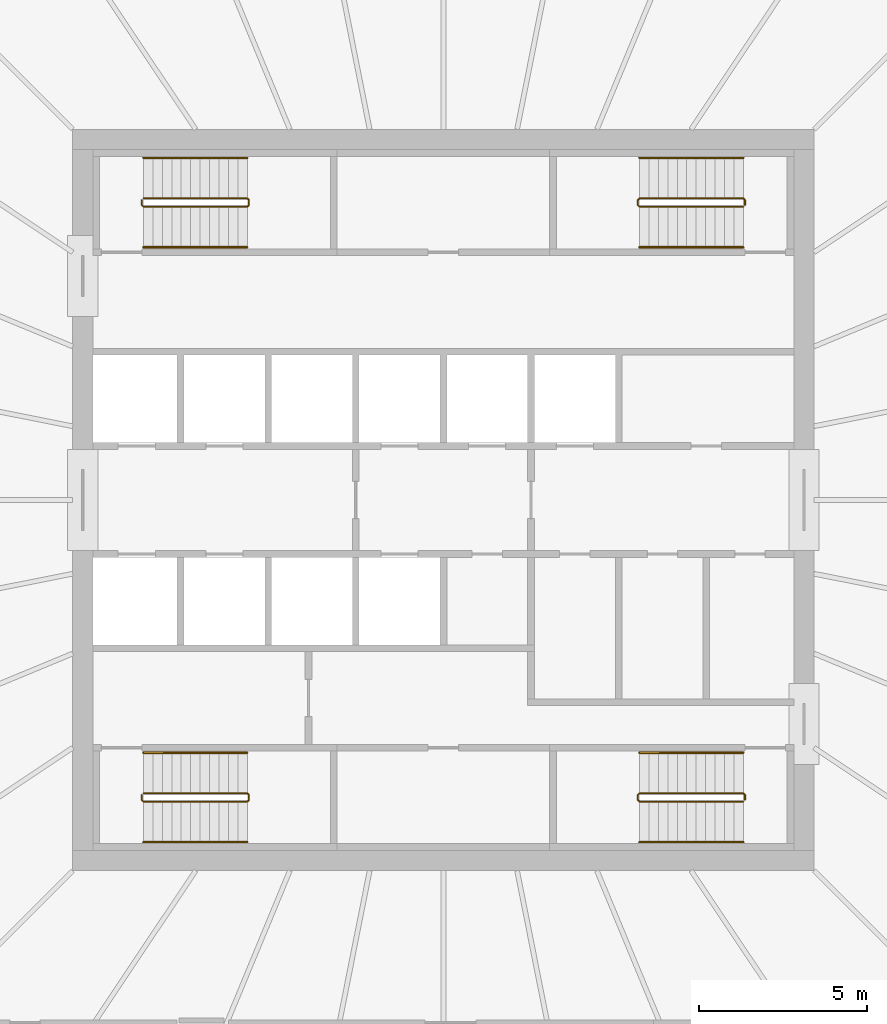
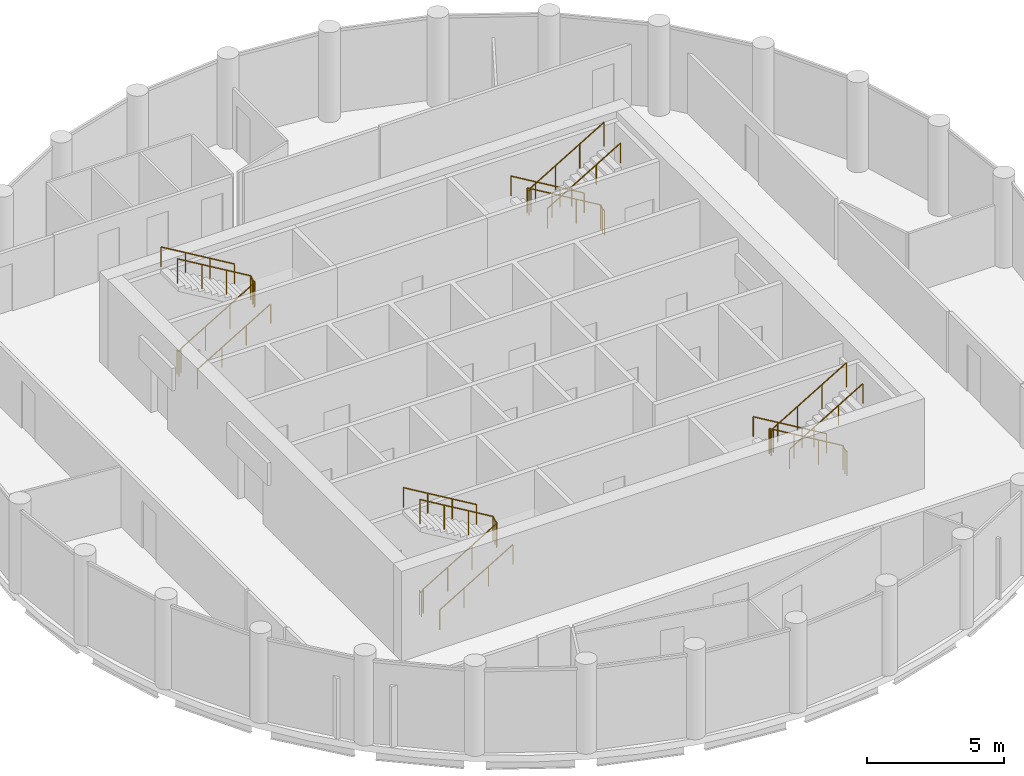
# One storey, part 7 of 7: 12 railings.
"""IFC4 building model written with IfcOpenShell, lengths in metres."""

import ifcopenshell
import ifcopenshell.guid

model = None  # the IFC model being written
_history = None  # IfcOwnerHistory: only IFC2X3 demands one
_inside = {}  # id of a spatial element -> (the spatial element, [elements in it])
_under = {}  # id of a project, library or spatial element -> (it, [spatial elements below it])
_declared = {}  # id of a project -> (the project, [libraries it declares])
_typed = {}  # id of a type object -> (the type object, [elements of that type])
_made_of = {}  # id of a material, layer set ... -> (it, [elements and type objects made of it])


def new_model(schema):
    """Start an empty IFC model of exactly this schema.

    Asked for "IFC4X3", IfcOpenShell would pick the latest addendum, in which some entities
    have other attributes; the version numbers below select the first issue.
    IFC2X3 requires an IfcOwnerHistory on every rooted entity: one is made here for all.
    """
    global model, _history
    if schema == "IFC4X3":
        model = ifcopenshell.file(schema_version=(4, 3, 0, 0))
    else:
        model = ifcopenshell.file(schema=schema)
    _inside.clear()
    _under.clear()
    _declared.clear()
    _typed.clear()
    _made_of.clear()
    _history = None
    if model.schema == "IFC2X3":
        org = make("IfcOrganization", Name="unknown")
        user = make(
            "IfcPersonAndOrganization",
            ThePerson=make("IfcPerson", FamilyName="unknown"),
            TheOrganization=org,
        )
        app = make(
            "IfcApplication",
            ApplicationDeveloper=org,
            Version="unknown",
            ApplicationFullName="unknown",
            ApplicationIdentifier="unknown",
        )
        _history = make(
            "IfcOwnerHistory",
            OwningUser=user,
            OwningApplication=app,
            ChangeAction="ADDED",
            CreationDate=0,
        )
    return model


def make(cls, **values):
    """One entity of the class cls with the attributes given. An attribute that is None is left unset."""
    return model.create_entity(
        cls, **{name: value for name, value in values.items() if value is not None}
    )


def rooted(cls, **values):
    """An entity with a GlobalId (a new one), such as an element, a storey or a relation."""
    return make(cls, GlobalId=ifcopenshell.guid.new(), OwnerHistory=_history, **values)


def si_unit(unit_type, name, prefix=None):
    """IfcSIUnit, for example si_unit("LENGTHUNIT", "METRE", prefix="MILLI")."""
    return make("IfcSIUnit", UnitType=unit_type, Prefix=prefix, Name=name)


def assignment(units):
    """IfcUnitAssignment: the units of a project."""
    return None if units is None else make("IfcUnitAssignment", Units=units)


def point(xyz):
    """IfcCartesianPoint."""
    return None if xyz is None else make("IfcCartesianPoint", Coordinates=xyz)


def direction(xyz):
    """IfcDirection."""
    return None if xyz is None else make("IfcDirection", DirectionRatios=xyz)


def frame(location, z_axis=None, x_axis=None):
    """IfcAxis2Placement3D, a coordinate frame: its origin and axes. An axis left out is left unset."""
    return make(
        "IfcAxis2Placement3D",
        Location=point(location),
        Axis=direction(z_axis),
        RefDirection=direction(x_axis),
    )


def frame_2d(location, x_axis=None):
    """IfcAxis2Placement2D, a coordinate frame in the plane: its origin and x axis."""
    return make(
        "IfcAxis2Placement2D", Location=point(location), RefDirection=direction(x_axis)
    )


def origin():
    """The frame at (0, 0, 0) with its axes left unset."""
    return frame((0.0, 0.0, 0.0))


def origin_2d():
    """The frame at (0, 0) in the plane with its x axis left unset."""
    return frame_2d((0.0, 0.0))


def place(relative_to, where):
    """IfcLocalPlacement: puts the frame where relative to a parent placement (None: the world)."""
    return make(
        "IfcLocalPlacement", PlacementRelTo=relative_to, RelativePlacement=where
    )


def context(
    kind, dimensions, precision=None, world=None, true_north=None, identifier=None
):
    """IfcGeometricRepresentationContext, for example the 3D "Model" context."""
    return make(
        "IfcGeometricRepresentationContext",
        ContextIdentifier=identifier,
        ContextType=kind,
        CoordinateSpaceDimension=dimensions,
        Precision=precision,
        WorldCoordinateSystem=world,
        TrueNorth=true_north,
    )


def subcontext(parent, identifier, kind, view, scale=None):
    """IfcGeometricRepresentationSubContext, for example "Body" below "Model"."""
    return make(
        "IfcGeometricRepresentationSubContext",
        ContextIdentifier=identifier,
        ContextType=kind,
        ParentContext=parent,
        TargetScale=scale,
        TargetView=view,
    )


def project(units=None, contexts=None):
    """IfcProject with its units and contexts."""
    return rooted(
        "IfcProject",
        Name="project",
        RepresentationContexts=contexts,
        UnitsInContext=assignment(units),
    )


def spatial(cls, under=None, at=None, **own):
    """A site, building, storey or space (cls), placed at a placement, below another one or the project."""
    s = rooted(cls, ObjectPlacement=at, **own)
    if under is not None:
        _under.setdefault(under.id(), (under, []))[1].append(s)
    return s


def profile(cls, at=None, kind="AREA", **sizes):
    """A parametric profile (cls). Its sizes go by their IFC names, for example OverallWidth=200.0."""
    return make(cls, ProfileType=kind, Position=at, **sizes)


def circle(**sizes):
    """IfcCircleProfileDef."""
    return profile("IfcCircleProfileDef", **sizes)


def extrude(swept, where, along, depth):
    """IfcExtrudedAreaSolid: the profile swept, set in the frame where, extruded along a direction by depth."""
    return make(
        "IfcExtrudedAreaSolid",
        SweptArea=swept,
        Position=where,
        ExtrudedDirection=direction(along),
        Depth=depth,
    )


def shape(context_of_items, identifier, shape_type, items):
    """IfcShapeRepresentation: the items that make up one representation, for example the "Body"."""
    return make(
        "IfcShapeRepresentation",
        ContextOfItems=context_of_items,
        RepresentationIdentifier=identifier,
        RepresentationType=shape_type,
        Items=items,
    )


def material(Name=None, Category=None):
    """IfcMaterial."""
    return make("IfcMaterial", Name=Name, Category=Category)


def made_of(thing, what):
    """Note that an element or type object is made of a material, layer set ...; save() writes the relation."""
    if what is not None:
        _made_of.setdefault(what.id(), (what, []))[1].append(thing)
    return thing


def type_object(cls, material=None, **own):
    """A type object (cls), such as IfcWallType, which elements share."""
    return made_of(rooted(cls, **own), material)


def element(
    cls,
    number,
    at=None,
    inside=None,
    cuts=None,
    type_object=None,
    material=None,
    context=None,
    identifier="Body",
    shape_type=None,
    held_by="IfcProductDefinitionShape",
    body=None,
    shapes=None,
    **own,
):
    """One element of the class cls, such as IfcWall. Its Tag is "e" and its number.

    at: its placement. inside: the storey or other place that contains it. cuts: it is an
    opening in that element (IfcRelVoidsElement). A single representation is given by context,
    identifier, shape_type and body (its items); several are given by shapes. held_by: the class
    of the entity that holds the representations. save() writes the other relations.
    """
    e = rooted(cls, Tag="e%d" % number, ObjectPlacement=at, **own)
    if body is not None:
        shapes = [shape(context, identifier, shape_type, body)]
    if shapes is not None:
        e.Representation = make(held_by, Representations=shapes)
    if inside is not None:
        _inside.setdefault(inside.id(), (inside, []))[1].append(e)
    if cuts is not None:
        rooted(
            "IfcRelVoidsElement", RelatingBuildingElement=cuts, RelatedOpeningElement=e
        )
    if type_object is not None:
        _typed.setdefault(type_object.id(), (type_object, []))[1].append(e)
    return made_of(e, material)


def aggregate(whole, parts):
    """IfcRelAggregates: a whole, such as a stair, and the parts it consists of."""
    return rooted("IfcRelAggregates", RelatingObject=whole, RelatedObjects=parts)


def save(model, path):
    """Write the relations noted so far, then the file.

    IfcRelAggregates (storeys below a building ...), IfcRelContainedInSpatialStructure (elements
    in a storey), IfcRelDefinesByType, IfcRelAssociatesMaterial and IfcRelDeclares: one each for
    every whole, place, type object, material and project.
    """
    for whole, parts in _under.values():
        aggregate(whole, parts)
    for where, things in _inside.values():
        rooted(
            "IfcRelContainedInSpatialStructure",
            RelatedElements=things,
            RelatingStructure=where,
        )
    for kind, things in _typed.values():
        rooted("IfcRelDefinesByType", RelatedObjects=things, RelatingType=kind)
    for what, things in _made_of.values():
        rooted("IfcRelAssociatesMaterial", RelatedObjects=things, RelatingMaterial=what)
    for by, libraries in _declared.values():
        rooted("IfcRelDeclares", RelatingContext=by, RelatedDefinitions=libraries)
    model.write(path)


model = new_model("IFC4")

# Units and contexts
model_context = context("Model", 3, precision=1e-05, world=origin(), true_north=direction((0.0, 1.0)))
body_context = subcontext(model_context, "Body", "Model", "MODEL_VIEW")
ifc_project = project(units=[si_unit("LENGTHUNIT", "METRE"), si_unit("AREAUNIT", "SQUARE_METRE"), si_unit("VOLUMEUNIT", "CUBIC_METRE"), si_unit("PLANEANGLEUNIT", "RADIAN"), si_unit("MASSUNIT", "GRAM", prefix="KILO")], contexts=[model_context])

# Site, building, storey
site_placement = place(None, origin())
site = spatial("IfcSite", under=ifc_project, at=site_placement, CompositionType="ELEMENT")
building_placement = place(site_placement, origin())
building = spatial("IfcBuilding", under=site, at=building_placement, Name="Corvane Civic Tower", CompositionType="ELEMENT")
storey_placement = place(building_placement, frame((0.0, 0.0, 364.5)))
storey = spatial("IfcBuildingStorey", under=building, at=storey_placement, Name="L87", CompositionType="ELEMENT", Elevation=364.5)

# Railings
ifc_material_1 = material(Name="Steel ASTM A572 Gr 50", Category="steel")
railing_type_1 = type_object("IfcRailingType", Name="ST-GUARD-1100", PredefinedType="GUARDRAIL", material=ifc_material_1)
railing_1_placement = place(storey_placement, frame((8.949951171875, 8.75, 0.0)))
element("IfcRailing", 1, at=railing_1_placement, inside=storey, type_object=railing_type_1, Name="L87 ST1 stair guard 1", PredefinedType="GUARDRAIL", context=body_context, shape_type="SweptSolid", body=[
    extrude(circle(Radius=0.02392578125, at=origin_2d()), frame((0.0, 0.0, 1.076171875), z_axis=(0.0, 1.0, 0.0), x_axis=(-1.0, 0.0, 0.0)), (0.0, 0.0, 1.0), 0.14990234375),
    extrude(circle(Radius=0.02392578125, at=origin_2d()), frame((0.0, 0.14990234375, 1.076171875), z_axis=(-0.27628659633, 0.27628659633, 0.920506074601), x_axis=(-0.707106781187, -0.707106781187, 0.0)), (0.0, 0.0, 1.0), 0.18115234375),
    extrude(circle(Radius=0.02392578125, at=origin_2d()), frame((-0.050048828125, 0.199951171875, 1.24267578125), z_axis=(-0.859290745958, 0.0, 0.51148745235), x_axis=(0.0, -1.0, 0.0)), (0.0, 0.0, 1.0), 3.584228515625),
    extrude(circle(Radius=0.02392578125, at=origin_2d()), frame((-3.1298828125, 0.199951171875, 3.076171875), z_axis=(-0.707106781187, -0.707106781187, 0.0), x_axis=(0.707106781187, -0.707106781187, 0.0)), (0.0, 0.0, 1.0), 0.07080078125),
    extrude(circle(Radius=0.02392578125, at=origin_2d()), frame((-3.179931640625, 0.14990234375, 3.076171875), z_axis=(0.0, -1.0, 0.0), x_axis=(1.0, 0.0, 0.0)), (0.0, 0.0, 1.0), 0.14990234375),
    extrude(circle(Radius=0.02392578125, at=origin_2d()), frame((-3.179931640625, 0.0, 3.076171875), z_axis=(0.27628659633, -0.27628659633, 0.920506074601), x_axis=(0.707106781187, 0.707106781187, 0.0)), (0.0, 0.0, 1.0), 0.18115234375),
    extrude(circle(Radius=0.02392578125, at=origin_2d()), frame((-3.1298828125, -0.050048828125, 3.24267578125), z_axis=(0.859290745958, 0.0, 0.51148745235), x_axis=(0.0, 1.0, 0.0)), (0.0, 0.0, 1.0), 3.584228515625),
    extrude(circle(Radius=0.02099609375, at=origin_2d()), origin(), (0.0, 0.0, 1.0), 1.052001953125),
    extrude(circle(Radius=0.02099609375, at=origin_2d()), frame((0.0, 0.14990234375, 0.0)), (0.0, 0.0, 1.0), 1.052001953125),
    extrude(circle(Radius=0.02099609375, at=origin_2d()), frame((-0.050048828125, 0.199951171875, 0.166748046875)), (0.0, 0.0, 1.0), 1.052001953125),
    extrude(circle(Radius=0.02099609375, at=origin_2d()), frame((-1.07666015625, 0.199951171875, 0.77783203125)), (0.0, 0.0, 1.0), 1.052001953125),
    extrude(circle(Radius=0.02099609375, at=origin_2d()), frame((-2.103271484375, 0.199951171875, 1.388916015625)), (0.0, 0.0, 1.0), 1.052001953125),
    extrude(circle(Radius=0.02099609375, at=origin_2d()), frame((-3.1298828125, 0.199951171875, 2.0)), (0.0, 0.0, 1.0), 1.052001953125),
    extrude(circle(Radius=0.02099609375, at=origin_2d()), frame((-3.179931640625, 0.14990234375, 2.0)), (0.0, 0.0, 1.0), 1.052001953125),
    extrude(circle(Radius=0.02099609375, at=origin_2d()), frame((-3.179931640625, 0.0, 2.0)), (0.0, 0.0, 1.0), 1.052001953125),
    extrude(circle(Radius=0.02099609375, at=origin_2d()), frame((-3.1298828125, -0.050048828125, 2.166748046875)), (0.0, 0.0, 1.0), 1.052001953125),
    extrude(circle(Radius=0.02099609375, at=origin_2d()), frame((-2.103271484375, -0.050048828125, 2.77783203125)), (0.0, 0.0, 1.0), 1.052001953125),
    extrude(circle(Radius=0.02099609375, at=origin_2d()), frame((-1.07666015625, -0.050048828125, 3.388916015625)), (0.0, 0.0, 1.0), 1.052001953125),
    extrude(circle(Radius=0.02099609375, at=origin_2d()), frame((-0.050048828125, -0.050048828125, 4.0)), (0.0, 0.0, 1.0), 1.052001953125),
])
railing_2_placement = place(storey_placement, frame((8.949951171875, -8.89990234375, 0.0)))
element("IfcRailing", 2, at=railing_2_placement, inside=storey, type_object=railing_type_1, Name="L87 ST2 stair guard 1", PredefinedType="GUARDRAIL", context=body_context, shape_type="SweptSolid", body=[
    extrude(circle(Radius=0.02392578125, at=origin_2d()), frame((0.0, 0.0, 1.076171875), z_axis=(0.0, 1.0, 0.0), x_axis=(-1.0, 0.0, 0.0)), (0.0, 0.0, 1.0), 0.14990234375),
    extrude(circle(Radius=0.02392578125, at=origin_2d()), frame((0.0, 0.14990234375, 1.076171875), z_axis=(-0.27628659633, 0.27628659633, 0.920506074601), x_axis=(-0.707106781187, -0.707106781187, 0.0)), (0.0, 0.0, 1.0), 0.18115234375),
    extrude(circle(Radius=0.02392578125, at=origin_2d()), frame((-0.050048828125, 0.199951171875, 1.24267578125), z_axis=(-0.859290745958, 0.0, 0.51148745235), x_axis=(0.0, -1.0, 0.0)), (0.0, 0.0, 1.0), 3.584228515625),
    extrude(circle(Radius=0.02392578125, at=origin_2d()), frame((-3.1298828125, 0.199951171875, 3.076171875), z_axis=(-0.707106781187, -0.707106781187, 0.0), x_axis=(0.707106781187, -0.707106781187, 0.0)), (0.0, 0.0, 1.0), 0.07080078125),
    extrude(circle(Radius=0.02392578125, at=origin_2d()), frame((-3.179931640625, 0.14990234375, 3.076171875), z_axis=(0.0, -1.0, 0.0), x_axis=(1.0, 0.0, 0.0)), (0.0, 0.0, 1.0), 0.14990234375),
    extrude(circle(Radius=0.02392578125, at=origin_2d()), frame((-3.179931640625, 0.0, 3.076171875), z_axis=(0.27628659633, -0.27628659633, 0.920506074601), x_axis=(0.707106781187, 0.707106781187, 0.0)), (0.0, 0.0, 1.0), 0.18115234375),
    extrude(circle(Radius=0.02392578125, at=origin_2d()), frame((-3.1298828125, -0.050048828125, 3.24267578125), z_axis=(0.859290745958, 0.0, 0.51148745235), x_axis=(0.0, 1.0, 0.0)), (0.0, 0.0, 1.0), 3.584228515625),
    extrude(circle(Radius=0.02099609375, at=origin_2d()), origin(), (0.0, 0.0, 1.0), 1.052001953125),
    extrude(circle(Radius=0.02099609375, at=origin_2d()), frame((0.0, 0.14990234375, 0.0)), (0.0, 0.0, 1.0), 1.052001953125),
    extrude(circle(Radius=0.02099609375, at=origin_2d()), frame((-0.050048828125, 0.199951171875, 0.166748046875)), (0.0, 0.0, 1.0), 1.052001953125),
    extrude(circle(Radius=0.02099609375, at=origin_2d()), frame((-1.07666015625, 0.199951171875, 0.77783203125)), (0.0, 0.0, 1.0), 1.052001953125),
    extrude(circle(Radius=0.02099609375, at=origin_2d()), frame((-2.103271484375, 0.199951171875, 1.388916015625)), (0.0, 0.0, 1.0), 1.052001953125),
    extrude(circle(Radius=0.02099609375, at=origin_2d()), frame((-3.1298828125, 0.199951171875, 2.0)), (0.0, 0.0, 1.0), 1.052001953125),
    extrude(circle(Radius=0.02099609375, at=origin_2d()), frame((-3.179931640625, 0.14990234375, 2.0)), (0.0, 0.0, 1.0), 1.052001953125),
    extrude(circle(Radius=0.02099609375, at=origin_2d()), frame((-3.179931640625, 0.0, 2.0)), (0.0, 0.0, 1.0), 1.052001953125),
    extrude(circle(Radius=0.02099609375, at=origin_2d()), frame((-3.1298828125, -0.050048828125, 2.166748046875)), (0.0, 0.0, 1.0), 1.052001953125),
    extrude(circle(Radius=0.02099609375, at=origin_2d()), frame((-2.103271484375, -0.050048828125, 2.77783203125)), (0.0, 0.0, 1.0), 1.052001953125),
    extrude(circle(Radius=0.02099609375, at=origin_2d()), frame((-1.07666015625, -0.050048828125, 3.388916015625)), (0.0, 0.0, 1.0), 1.052001953125),
    extrude(circle(Radius=0.02099609375, at=origin_2d()), frame((-0.050048828125, -0.050048828125, 4.0)), (0.0, 0.0, 1.0), 1.052001953125),
])
railing_3_placement = place(storey_placement, frame((-8.949951171875, -8.75, 0.0)))
element("IfcRailing", 3, at=railing_3_placement, inside=storey, type_object=railing_type_1, Name="L87 ST3 stair guard 1", PredefinedType="GUARDRAIL", context=body_context, shape_type="SweptSolid", body=[
    extrude(circle(Radius=0.02392578125, at=origin_2d()), frame((0.0, 0.0, 1.076171875), z_axis=(0.0, -1.0, 0.0), x_axis=(1.0, 0.0, 0.0)), (0.0, 0.0, 1.0), 0.14990234375),
    extrude(circle(Radius=0.02392578125, at=origin_2d()), frame((0.0, -0.14990234375, 1.076171875), z_axis=(0.27628659633, -0.27628659633, 0.920506074601), x_axis=(0.707106781187, 0.707106781187, 0.0)), (0.0, 0.0, 1.0), 0.18115234375),
    extrude(circle(Radius=0.02392578125, at=origin_2d()), frame((0.050048828125, -0.199951171875, 1.24267578125), z_axis=(0.859290745958, 0.0, 0.51148745235), x_axis=(0.0, 1.0, 0.0)), (0.0, 0.0, 1.0), 3.584228515625),
    extrude(circle(Radius=0.02392578125, at=origin_2d()), frame((3.1298828125, -0.199951171875, 3.076171875), z_axis=(0.707106781187, 0.707106781187, 0.0), x_axis=(-0.707106781187, 0.707106781187, 0.0)), (0.0, 0.0, 1.0), 0.07080078125),
    extrude(circle(Radius=0.02392578125, at=origin_2d()), frame((3.179931640625, -0.14990234375, 3.076171875), z_axis=(0.0, 1.0, 0.0), x_axis=(-1.0, 0.0, 0.0)), (0.0, 0.0, 1.0), 0.14990234375),
    extrude(circle(Radius=0.02392578125, at=origin_2d()), frame((3.179931640625, 0.0, 3.076171875), z_axis=(-0.27628659633, 0.27628659633, 0.920506074601), x_axis=(-0.707106781187, -0.707106781187, 0.0)), (0.0, 0.0, 1.0), 0.18115234375),
    extrude(circle(Radius=0.02392578125, at=origin_2d()), frame((3.1298828125, 0.050048828125, 3.24267578125), z_axis=(-0.859290745958, 0.0, 0.51148745235), x_axis=(0.0, -1.0, 0.0)), (0.0, 0.0, 1.0), 3.584228515625),
    extrude(circle(Radius=0.02099609375, at=origin_2d()), origin(), (0.0, 0.0, 1.0), 1.052001953125),
    extrude(circle(Radius=0.02099609375, at=origin_2d()), frame((0.0, -0.14990234375, 0.0)), (0.0, 0.0, 1.0), 1.052001953125),
    extrude(circle(Radius=0.02099609375, at=origin_2d()), frame((0.050048828125, -0.199951171875, 0.166748046875)), (0.0, 0.0, 1.0), 1.052001953125),
    extrude(circle(Radius=0.02099609375, at=origin_2d()), frame((1.07666015625, -0.199951171875, 0.77783203125)), (0.0, 0.0, 1.0), 1.052001953125),
    extrude(circle(Radius=0.02099609375, at=origin_2d()), frame((2.103271484375, -0.199951171875, 1.388916015625)), (0.0, 0.0, 1.0), 1.052001953125),
    extrude(circle(Radius=0.02099609375, at=origin_2d()), frame((3.1298828125, -0.199951171875, 2.0)), (0.0, 0.0, 1.0), 1.052001953125),
    extrude(circle(Radius=0.02099609375, at=origin_2d()), frame((3.179931640625, -0.14990234375, 2.0)), (0.0, 0.0, 1.0), 1.052001953125),
    extrude(circle(Radius=0.02099609375, at=origin_2d()), frame((3.179931640625, 0.0, 2.0)), (0.0, 0.0, 1.0), 1.052001953125),
    extrude(circle(Radius=0.02099609375, at=origin_2d()), frame((3.1298828125, 0.050048828125, 2.166748046875)), (0.0, 0.0, 1.0), 1.052001953125),
    extrude(circle(Radius=0.02099609375, at=origin_2d()), frame((2.103271484375, 0.050048828125, 2.77783203125)), (0.0, 0.0, 1.0), 1.052001953125),
    extrude(circle(Radius=0.02099609375, at=origin_2d()), frame((1.07666015625, 0.050048828125, 3.388916015625)), (0.0, 0.0, 1.0), 1.052001953125),
    extrude(circle(Radius=0.02099609375, at=origin_2d()), frame((0.050048828125, 0.050048828125, 4.0)), (0.0, 0.0, 1.0), 1.052001953125),
])
railing_4_placement = place(storey_placement, frame((-8.949951171875, 8.89990234375, 0.0)))
element("IfcRailing", 4, at=railing_4_placement, inside=storey, type_object=railing_type_1, Name="L87 ST4 stair guard 1", PredefinedType="GUARDRAIL", context=body_context, shape_type="SweptSolid", body=[
    extrude(circle(Radius=0.02392578125, at=origin_2d()), frame((0.0, 0.0, 1.076171875), z_axis=(0.0, -1.0, 0.0), x_axis=(1.0, 0.0, 0.0)), (0.0, 0.0, 1.0), 0.14990234375),
    extrude(circle(Radius=0.02392578125, at=origin_2d()), frame((0.0, -0.14990234375, 1.076171875), z_axis=(0.27628659633, -0.27628659633, 0.920506074601), x_axis=(0.707106781187, 0.707106781187, 0.0)), (0.0, 0.0, 1.0), 0.18115234375),
    extrude(circle(Radius=0.02392578125, at=origin_2d()), frame((0.050048828125, -0.199951171875, 1.24267578125), z_axis=(0.859290745958, 0.0, 0.51148745235), x_axis=(0.0, 1.0, 0.0)), (0.0, 0.0, 1.0), 3.584228515625),
    extrude(circle(Radius=0.02392578125, at=origin_2d()), frame((3.1298828125, -0.199951171875, 3.076171875), z_axis=(0.707106781187, 0.707106781187, 0.0), x_axis=(-0.707106781187, 0.707106781187, 0.0)), (0.0, 0.0, 1.0), 0.07080078125),
    extrude(circle(Radius=0.02392578125, at=origin_2d()), frame((3.179931640625, -0.14990234375, 3.076171875), z_axis=(0.0, 1.0, 0.0), x_axis=(-1.0, 0.0, 0.0)), (0.0, 0.0, 1.0), 0.14990234375),
    extrude(circle(Radius=0.02392578125, at=origin_2d()), frame((3.179931640625, 0.0, 3.076171875), z_axis=(-0.27628659633, 0.27628659633, 0.920506074601), x_axis=(-0.707106781187, -0.707106781187, 0.0)), (0.0, 0.0, 1.0), 0.18115234375),
    extrude(circle(Radius=0.02392578125, at=origin_2d()), frame((3.1298828125, 0.050048828125, 3.24267578125), z_axis=(-0.859290745958, 0.0, 0.51148745235), x_axis=(0.0, -1.0, 0.0)), (0.0, 0.0, 1.0), 3.584228515625),
    extrude(circle(Radius=0.02099609375, at=origin_2d()), origin(), (0.0, 0.0, 1.0), 1.052001953125),
    extrude(circle(Radius=0.02099609375, at=origin_2d()), frame((0.0, -0.14990234375, 0.0)), (0.0, 0.0, 1.0), 1.052001953125),
    extrude(circle(Radius=0.02099609375, at=origin_2d()), frame((0.050048828125, -0.199951171875, 0.166748046875)), (0.0, 0.0, 1.0), 1.052001953125),
    extrude(circle(Radius=0.02099609375, at=origin_2d()), frame((1.07666015625, -0.199951171875, 0.77783203125)), (0.0, 0.0, 1.0), 1.052001953125),
    extrude(circle(Radius=0.02099609375, at=origin_2d()), frame((2.103271484375, -0.199951171875, 1.388916015625)), (0.0, 0.0, 1.0), 1.052001953125),
    extrude(circle(Radius=0.02099609375, at=origin_2d()), frame((3.1298828125, -0.199951171875, 2.0)), (0.0, 0.0, 1.0), 1.052001953125),
    extrude(circle(Radius=0.02099609375, at=origin_2d()), frame((3.179931640625, -0.14990234375, 2.0)), (0.0, 0.0, 1.0), 1.052001953125),
    extrude(circle(Radius=0.02099609375, at=origin_2d()), frame((3.179931640625, 0.0, 2.0)), (0.0, 0.0, 1.0), 1.052001953125),
    extrude(circle(Radius=0.02099609375, at=origin_2d()), frame((3.1298828125, 0.050048828125, 2.166748046875)), (0.0, 0.0, 1.0), 1.052001953125),
    extrude(circle(Radius=0.02099609375, at=origin_2d()), frame((2.103271484375, 0.050048828125, 2.77783203125)), (0.0, 0.0, 1.0), 1.052001953125),
    extrude(circle(Radius=0.02099609375, at=origin_2d()), frame((1.07666015625, 0.050048828125, 3.388916015625)), (0.0, 0.0, 1.0), 1.052001953125),
    extrude(circle(Radius=0.02099609375, at=origin_2d()), frame((0.050048828125, 0.050048828125, 4.0)), (0.0, 0.0, 1.0), 1.052001953125),
])
ifc_material_2 = material(Name="Steel ASTM A572 Gr 50", Category="steel")
railing_type_2 = type_object("IfcRailingType", Name="ST-HANDRAIL-900", PredefinedType="HANDRAIL", material=ifc_material_2)
railing_5_placement = place(storey_placement, frame((8.89990234375, 10.14990234375, 0.166748046875)))
element("IfcRailing", 5, at=railing_5_placement, inside=storey, type_object=railing_type_2, Name="L87 ST1 stair handrail 1", PredefinedType="HANDRAIL", context=body_context, shape_type="SweptSolid", body=[
    extrude(circle(Radius=0.02392578125, at=origin_2d()), frame((0.0, 0.0, 0.8759765625), z_axis=(-0.859290745958, 0.0, 0.51148745235), x_axis=(0.0, -1.0, 0.0)), (0.0, 0.0, 1.0), 3.584228515625),
    extrude(circle(Radius=0.02099609375, at=origin_2d()), origin(), (0.0, 0.0, 1.0), 0.851806640625),
    extrude(circle(Radius=0.02099609375, at=origin_2d()), frame((-1.026611328125, 0.0, 0.611083984375)), (0.0, 0.0, 1.0), 0.851806640625),
    extrude(circle(Radius=0.02099609375, at=origin_2d()), frame((-2.05322265625, 0.0, 1.22216796875)), (0.0, 0.0, 1.0), 0.851806640625),
    extrude(circle(Radius=0.02099609375, at=origin_2d()), frame((-3.079833984375, 0.0, 1.833251953125)), (0.0, 0.0, 1.0), 0.851806640625),
])
railing_6_placement = place(storey_placement, frame((5.820068359375, 7.5, 2.166748046875)))
element("IfcRailing", 6, at=railing_6_placement, inside=storey, type_object=railing_type_2, Name="L87 ST1 stair handrail 2", PredefinedType="HANDRAIL", context=body_context, shape_type="SweptSolid", body=[
    extrude(circle(Radius=0.02392578125, at=origin_2d()), frame((0.0, 0.0, 0.8759765625), z_axis=(0.859290745958, 0.0, 0.51148745235), x_axis=(0.0, 1.0, 0.0)), (0.0, 0.0, 1.0), 3.584228515625),
    extrude(circle(Radius=0.02099609375, at=origin_2d()), origin(), (0.0, 0.0, 1.0), 0.851806640625),
    extrude(circle(Radius=0.02099609375, at=origin_2d()), frame((1.026611328125, 0.0, 0.611083984375)), (0.0, 0.0, 1.0), 0.851806640625),
    extrude(circle(Radius=0.02099609375, at=origin_2d()), frame((2.05322265625, 0.0, 1.22216796875)), (0.0, 0.0, 1.0), 0.851806640625),
    extrude(circle(Radius=0.02099609375, at=origin_2d()), frame((3.079833984375, 0.0, 1.833251953125)), (0.0, 0.0, 1.0), 0.851806640625),
])
railing_7_placement = place(storey_placement, frame((8.89990234375, -7.5, 0.166748046875)))
element("IfcRailing", 7, at=railing_7_placement, inside=storey, type_object=railing_type_2, Name="L87 ST2 stair handrail 1", PredefinedType="HANDRAIL", context=body_context, shape_type="SweptSolid", body=[
    extrude(circle(Radius=0.02392578125, at=origin_2d()), frame((0.0, 0.0, 0.8759765625), z_axis=(-0.859290745958, 0.0, 0.51148745235), x_axis=(0.0, -1.0, 0.0)), (0.0, 0.0, 1.0), 3.584228515625),
    extrude(circle(Radius=0.02099609375, at=origin_2d()), origin(), (0.0, 0.0, 1.0), 0.851806640625),
    extrude(circle(Radius=0.02099609375, at=origin_2d()), frame((-1.026611328125, 0.0, 0.611083984375)), (0.0, 0.0, 1.0), 0.851806640625),
    extrude(circle(Radius=0.02099609375, at=origin_2d()), frame((-2.05322265625, 0.0, 1.22216796875)), (0.0, 0.0, 1.0), 0.851806640625),
    extrude(circle(Radius=0.02099609375, at=origin_2d()), frame((-3.079833984375, 0.0, 1.833251953125)), (0.0, 0.0, 1.0), 0.851806640625),
])
for number, where, name in (
    (8, (5.820068359375, -10.14990234375, 2.166748046875), "L87 ST2 stair handrail 2"),
    (9, (-8.89990234375, -10.14990234375, 0.166748046875), "L87 ST3 stair handrail 1"),
):
    element("IfcRailing", number, at=place(storey_placement, frame(where)), inside=storey, type_object=railing_type_2, Name=name, PredefinedType="HANDRAIL", context=body_context, shape_type="SweptSolid", body=[
        extrude(circle(Radius=0.02392578125, at=origin_2d()), frame((0.0, 0.0, 0.8759765625), z_axis=(0.859290745958, 0.0, 0.51148745235), x_axis=(0.0, 1.0, 0.0)), (0.0, 0.0, 1.0), 3.584228515625),
        extrude(circle(Radius=0.02099609375, at=origin_2d()), origin(), (0.0, 0.0, 1.0), 0.851806640625),
        extrude(circle(Radius=0.02099609375, at=origin_2d()), frame((1.026611328125, 0.0, 0.611083984375)), (0.0, 0.0, 1.0), 0.851806640625),
        extrude(circle(Radius=0.02099609375, at=origin_2d()), frame((2.05322265625, 0.0, 1.22216796875)), (0.0, 0.0, 1.0), 0.851806640625),
        extrude(circle(Radius=0.02099609375, at=origin_2d()), frame((3.079833984375, 0.0, 1.833251953125)), (0.0, 0.0, 1.0), 0.851806640625),
    ])
railing_8_placement = place(storey_placement, frame((-5.820068359375, -7.5, 2.166748046875)))
element("IfcRailing", 10, at=railing_8_placement, inside=storey, type_object=railing_type_2, Name="L87 ST3 stair handrail 2", PredefinedType="HANDRAIL", context=body_context, shape_type="SweptSolid", body=[
    extrude(circle(Radius=0.02392578125, at=origin_2d()), frame((0.0, 0.0, 0.8759765625), z_axis=(-0.859290745958, 0.0, 0.51148745235), x_axis=(0.0, -1.0, 0.0)), (0.0, 0.0, 1.0), 3.584228515625),
    extrude(circle(Radius=0.02099609375, at=origin_2d()), origin(), (0.0, 0.0, 1.0), 0.851806640625),
    extrude(circle(Radius=0.02099609375, at=origin_2d()), frame((-1.026611328125, 0.0, 0.611083984375)), (0.0, 0.0, 1.0), 0.851806640625),
    extrude(circle(Radius=0.02099609375, at=origin_2d()), frame((-2.05322265625, 0.0, 1.22216796875)), (0.0, 0.0, 1.0), 0.851806640625),
    extrude(circle(Radius=0.02099609375, at=origin_2d()), frame((-3.079833984375, 0.0, 1.833251953125)), (0.0, 0.0, 1.0), 0.851806640625),
])
railing_9_placement = place(storey_placement, frame((-8.89990234375, 7.5, 0.166748046875)))
element("IfcRailing", 11, at=railing_9_placement, inside=storey, type_object=railing_type_2, Name="L87 ST4 stair handrail 1", PredefinedType="HANDRAIL", context=body_context, shape_type="SweptSolid", body=[
    extrude(circle(Radius=0.02392578125, at=origin_2d()), frame((0.0, 0.0, 0.8759765625), z_axis=(0.859290745958, 0.0, 0.51148745235), x_axis=(0.0, 1.0, 0.0)), (0.0, 0.0, 1.0), 3.584228515625),
    extrude(circle(Radius=0.02099609375, at=origin_2d()), origin(), (0.0, 0.0, 1.0), 0.851806640625),
    extrude(circle(Radius=0.02099609375, at=origin_2d()), frame((1.026611328125, 0.0, 0.611083984375)), (0.0, 0.0, 1.0), 0.851806640625),
    extrude(circle(Radius=0.02099609375, at=origin_2d()), frame((2.05322265625, 0.0, 1.22216796875)), (0.0, 0.0, 1.0), 0.851806640625),
    extrude(circle(Radius=0.02099609375, at=origin_2d()), frame((3.079833984375, 0.0, 1.833251953125)), (0.0, 0.0, 1.0), 0.851806640625),
])
railing_10_placement = place(storey_placement, frame((-5.820068359375, 10.14990234375, 2.166748046875)))
element("IfcRailing", 12, at=railing_10_placement, inside=storey, type_object=railing_type_2, Name="L87 ST4 stair handrail 2", PredefinedType="HANDRAIL", context=body_context, shape_type="SweptSolid", body=[
    extrude(circle(Radius=0.02392578125, at=origin_2d()), frame((0.0, 0.0, 0.8759765625), z_axis=(-0.859290745958, 0.0, 0.51148745235), x_axis=(0.0, -1.0, 0.0)), (0.0, 0.0, 1.0), 3.584228515625),
    extrude(circle(Radius=0.02099609375, at=origin_2d()), origin(), (0.0, 0.0, 1.0), 0.851806640625),
    extrude(circle(Radius=0.02099609375, at=origin_2d()), frame((-1.026611328125, 0.0, 0.611083984375)), (0.0, 0.0, 1.0), 0.851806640625),
    extrude(circle(Radius=0.02099609375, at=origin_2d()), frame((-2.05322265625, 0.0, 1.22216796875)), (0.0, 0.0, 1.0), 0.851806640625),
    extrude(circle(Radius=0.02099609375, at=origin_2d()), frame((-3.079833984375, 0.0, 1.833251953125)), (0.0, 0.0, 1.0), 0.851806640625),
])

save(model, "model.ifc")
